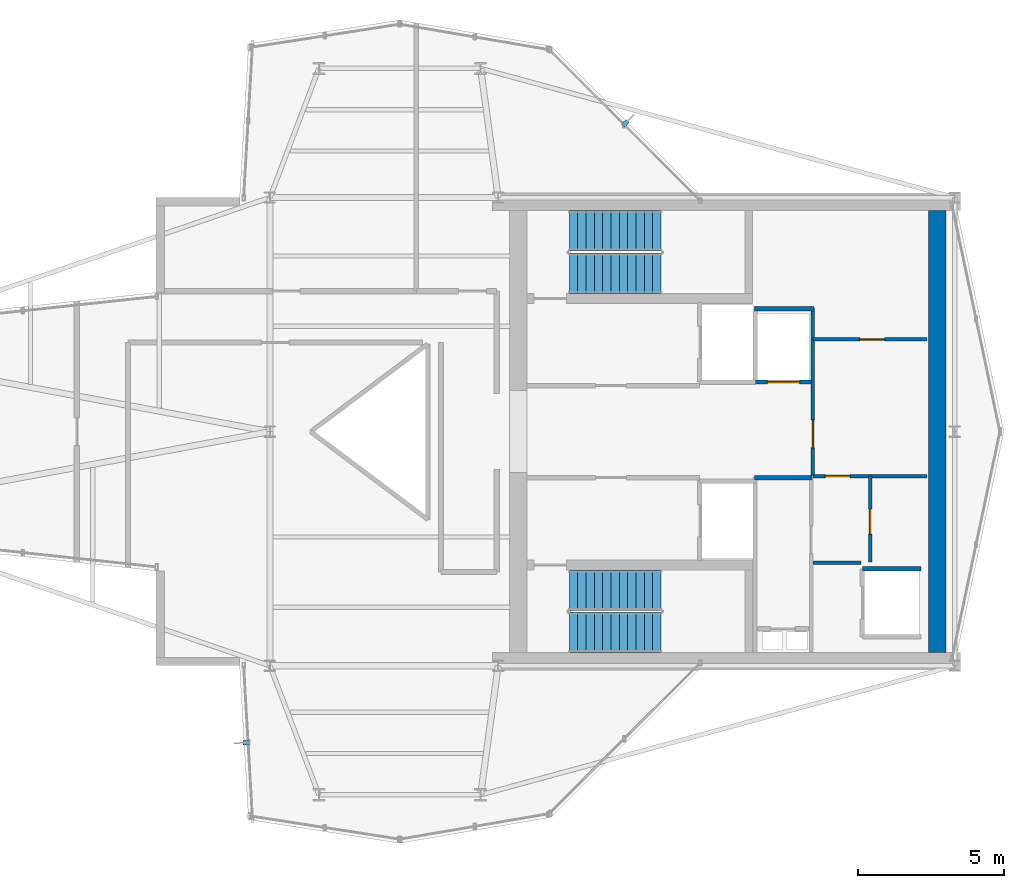
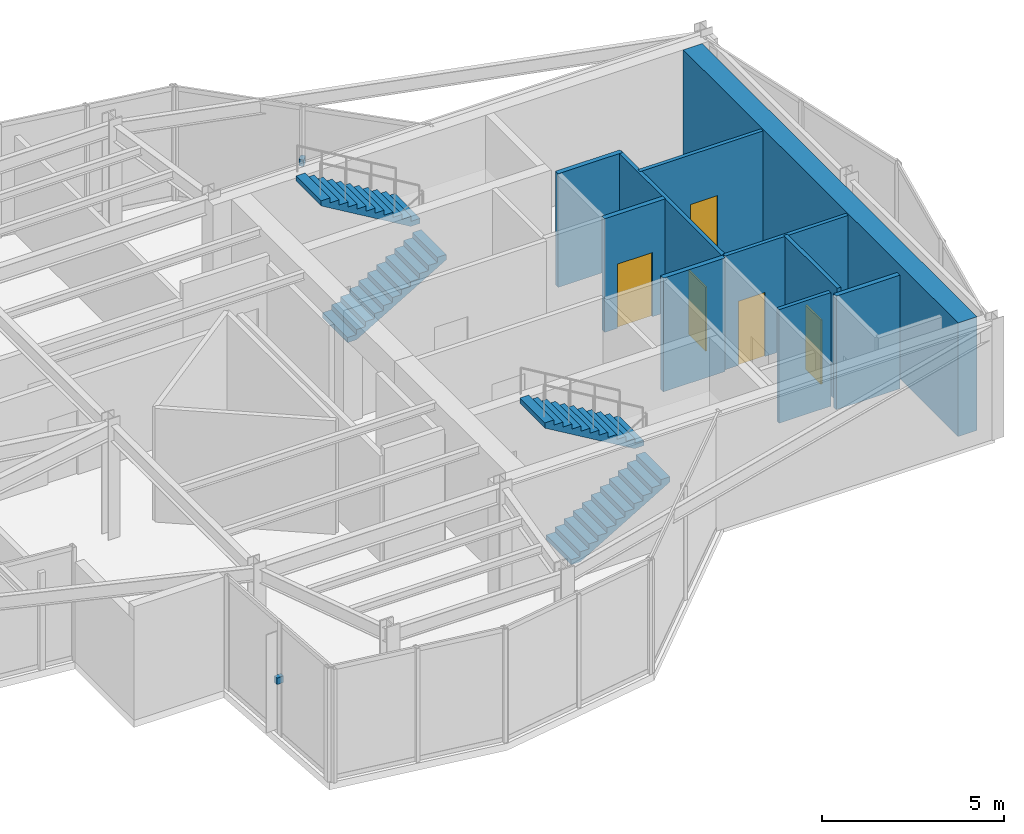
# One storey, part 12 of 13: 10 walls, 5 doors, 4 stair flights, 2 discrete accessories, 5 openings, 2 elements without a shape of their own.
"""IFC4 building model written with IfcOpenShell, lengths in metres."""

from ifc_helpers import new_model, si_unit, direction, frame, frame_2d, origin, origin_2d, place, context, subcontext, project, spatial, polyline, rectangle, outline, extrude, material, layer, layer_set, type_object, element, fill, aggregate, save


model = new_model("IFC4")

# Units and contexts
model_context = context("Model", 3, precision=1e-05, world=origin(), true_north=direction((0.0, 1.0)))
body_context = subcontext(model_context, "Body", "Model", "MODEL_VIEW")
ifc_project = project(units=[si_unit("LENGTHUNIT", "METRE"), si_unit("AREAUNIT", "SQUARE_METRE"), si_unit("VOLUMEUNIT", "CUBIC_METRE"), si_unit("PLANEANGLEUNIT", "RADIAN"), si_unit("MASSUNIT", "GRAM", prefix="KILO")], contexts=[model_context])

# Site, building, storey
site_placement = place(None, origin())
site = spatial("IfcSite", under=ifc_project, at=site_placement, CompositionType="ELEMENT")
building_placement = place(site_placement, origin())
building = spatial("IfcBuilding", under=site, at=building_placement, Name="Veymaron Broadcast Tower", CompositionType="ELEMENT")
storey_placement = place(building_placement, frame((0.0, 0.0, 307.35009765625)))
storey = spatial("IfcBuildingStorey", under=building, at=storey_placement, Name="L72", CompositionType="ELEMENT", Elevation=307.35009765625)

# Wall, opening, door
ifc_material_1 = material(Name="Gypsum fireboard and steel stud framing", Category="steel")
ifc_layer_1 = layer(ifc_material_1, 0.14990234375)
ifc_layer_set_1 = layer_set([ifc_layer_1], Name="Gypsum fireboard and steel stud framing")
wall_type_1 = type_object("IfcWallType", Name="WALL-FIRE-150", PredefinedType="PARTITIONING", material=ifc_layer_set_1)
wall_1_placement = place(storey_placement, frame((47.7900390625, 25.695068359375, 0.0), z_axis=(0.0, 0.0, 1.0), x_axis=(1.0, 0.0, 0.0)))
wall_1 = element("IfcWall", 1, at=wall_1_placement, inside=storey, type_object=wall_type_1, Name="L72 partition IW-L72-SHS-SL-1", PredefinedType="PARTITIONING", context=body_context, shape_type="SweptSolid", body=[
    extrude(rectangle(XDim=1.919921875, YDim=0.14990234375, at=frame_2d((0.9599609375, 0.0))), origin(), (0.0, 0.0, 1.0), 3.809814453125),
])
opening_1_placement = place(wall_1_placement, frame((0.409912109375, 0.0, 0.0)))
opening_1 = element("IfcOpeningElement", 2, at=opening_1_placement, cuts=wall_1, Name="Opening LD", PredefinedType="OPENING", context=body_context, shape_type="SweptSolid", body=[
    extrude(rectangle(XDim=1.10009765625, YDim=2.14990234375, at=frame_2d((0.550048828125, 1.074951171875))), frame((0.0, 0.0849609375, 0.0), z_axis=(0.0, -1.0, 0.0), x_axis=(1.0, 0.0, 0.0)), (0.0, 0.0, 1.0), 0.169921875),
])
ifc_material_2 = material(Name="Brushed stainless steel AISI 304", Category="steel")
door_type_1 = type_object("IfcDoorType", Name="DOOR-LIFT-1100", OperationType="DOUBLE_DOOR_SLIDING", PredefinedType="DOOR", material=ifc_material_2)
door_1_placement = place(opening_1_placement, frame((1.10009765625, 0.0, 0.0), z_axis=(0.0, 0.0, 1.0), x_axis=(-1.0, 0.0, 0.0)))
door_1 = element("IfcDoor", 3, at=door_1_placement, inside=storey, type_object=door_type_1, Name="L72 door LD-L72-SL-1", OperationType="DOUBLE_DOOR_SLIDING", OverallHeight=2.14990234375, OverallWidth=1.10009765625, PredefinedType="DOOR", context=body_context, shape_type="SweptSolid", body=[
    extrude(rectangle(XDim=1.10009765625, YDim=2.14990234375, at=frame_2d((0.550048828125, 1.074951171875))), frame((0.0, 0.02490234375, 0.0), z_axis=(0.0, -1.0, 0.0), x_axis=(1.0, 0.0, 0.0)), (0.0, 0.0, 1.0), 0.050048828125),
])
fill(opening_1, door_1)

# Walls
wall_2_placement = place(storey_placement, frame((51.445068359375, 19.31005859375, 0.0), z_axis=(0.0, 0.0, 1.0), x_axis=(1.0, 0.0, 0.0)))
element("IfcWall", 4, at=wall_2_placement, inside=storey, type_object=wall_type_1, Name="L72 partition IW-L72-SHN-PH1", PredefinedType="PARTITIONING", context=body_context, shape_type="SweptSolid", body=[
    extrude(rectangle(XDim=2.014892578125, YDim=0.14990234375, at=frame_2d((1.00732421875, 0.0))), origin(), (0.0, 0.0, 1.0), 3.809814453125),
])
wall_3_placement = place(storey_placement, frame((47.760009765625, 22.425048828125, 0.0), z_axis=(0.0, 0.0, 1.0), x_axis=(1.0, 0.0, 0.0)))
element("IfcWall", 5, at=wall_3_placement, inside=storey, type_object=wall_type_1, Name="L72 partition IW-L72-SM-N", PredefinedType="PARTITIONING", context=body_context, shape_type="SweptSolid", body=[
    extrude(rectangle(XDim=1.9599609375, YDim=0.14990234375, at=frame_2d((0.97998046875, 0.0))), origin(), (0.0, 0.0, 1.0), 3.809814453125),
])
wall_4_placement = place(storey_placement, frame((47.760009765625, 28.199951171875, 0.0), z_axis=(0.0, 0.0, 1.0), x_axis=(1.0, 0.0, 0.0)))
element("IfcWall", 6, at=wall_4_placement, inside=storey, type_object=wall_type_1, Name="L72 partition IW-L72-F3-SW", PredefinedType="PARTITIONING", context=body_context, shape_type="SweptSolid", body=[
    extrude(rectangle(XDim=2.0400390625, YDim=0.14990234375, at=frame_2d((1.02001953125, 0.0))), origin(), (0.0, 0.0, 1.0), 3.809814453125),
])

# Wall, opening, door
ifc_material_3 = material(Name="Acoustic gypsum board and galvanized stud", Category="gypsum")
ifc_layer_2 = layer(ifc_material_3, 0.1201171875)
ifc_layer_set_2 = layer_set([ifc_layer_2], Name="Acoustic gypsum board and galvanized stud")
wall_type_2 = type_object("IfcWallType", Name="WALL-PART-120", PredefinedType="PARTITIONING", material=ifc_layer_set_2)
wall_5_placement = place(storey_placement, frame((49.760009765625, 22.47998046875, 0.0), z_axis=(0.0, 0.0, 1.0), x_axis=(1.0, 0.0, 0.0)))
wall_5 = element("IfcWall", 7, at=wall_5_placement, inside=storey, type_object=wall_type_2, Name="L72 partition IW-L72-F3S-N", PredefinedType="PARTITIONING", context=body_context, shape_type="SweptSolid", body=[
    extrude(rectangle(XDim=3.89990234375, YDim=0.1201171875, at=frame_2d((1.949951171875, 0.0))), origin(), (0.0, 0.0, 1.0), 3.809814453125),
])
opening_2_placement = place(wall_5_placement, frame((0.419921875, 0.0, 0.0)))
opening_2 = element("IfcOpeningElement", 8, at=opening_2_placement, cuts=wall_5, Name="Opening ID-WC1", PredefinedType="OPENING", context=body_context, shape_type="SweptSolid", body=[
    extrude(rectangle(XDim=0.85009765625, YDim=2.14990234375, at=frame_2d((0.425048828125, 1.074951171875))), frame((0.0, 0.070068359375, 0.0), z_axis=(0.0, -1.0, 0.0), x_axis=(1.0, 0.0, 0.0)), (0.0, 0.0, 1.0), 0.14013671875),
])
ifc_material_4 = material(Name="Moisture-resistant high-pressure laminate timber", Category="wood")
door_type_2 = type_object("IfcDoorType", Name="DOOR-INT-850", OperationType="NOTDEFINED", PredefinedType="DOOR", material=ifc_material_4)
door_2_placement = place(opening_2_placement, frame((0.85009765625, 0.0, 0.0), z_axis=(0.0, 0.0, 1.0), x_axis=(-1.0, 0.0, 0.0)))
door_2 = element("IfcDoor", 9, at=door_2_placement, inside=storey, type_object=door_type_2, Name="L72 door DR-L72-F3S", OperationType="SINGLE_SWING_LEFT", OverallHeight=2.14990234375, OverallWidth=0.85009765625, PredefinedType="DOOR", context=body_context, shape_type="SweptSolid", body=[
    extrude(rectangle(XDim=0.85009765625, YDim=2.14990234375, at=frame_2d((0.425048828125, 1.074951171875))), frame((0.0, 0.02490234375, 0.0), z_axis=(0.0, -1.0, 0.0), x_axis=(1.0, 0.0, 0.0)), (0.0, 0.0, 1.0), 0.050048828125),
])
fill(opening_2, door_2)

wall_6_placement = place(storey_placement, frame((51.7099609375, 19.550048828125, 0.0), z_axis=(0.0, 0.0, 1.0), x_axis=(0.0, 1.0, 0.0)))
wall_6 = element("IfcWall", 10, at=wall_6_placement, inside=storey, type_object=wall_type_2, Name="L72 partition IW-L72-F3S-M", PredefinedType="PARTITIONING", context=body_context, shape_type="SweptSolid", body=[
    extrude(rectangle(XDim=2.929931640625, YDim=0.1201171875, at=frame_2d((1.46484375, 0.0))), origin(), (0.0, 0.0, 1.0), 3.809814453125),
])
opening_3_placement = place(wall_6_placement, frame((0.949951171875, 0.0, 0.0)))
opening_3 = element("IfcOpeningElement", 11, at=opening_3_placement, cuts=wall_6, Name="Opening ID-WC1", PredefinedType="OPENING", context=body_context, shape_type="SweptSolid", body=[
    extrude(rectangle(XDim=0.85009765625, YDim=2.14990234375, at=frame_2d((0.425048828125, 1.074951171875))), frame((0.0, 0.070068359375, 0.0), z_axis=(0.0, -1.0, 0.0), x_axis=(1.0, 0.0, 0.0)), (0.0, 0.0, 1.0), 0.14013671875),
])
door_3_placement = place(opening_3_placement, origin())
door_3 = element("IfcDoor", 12, at=door_3_placement, inside=storey, type_object=door_type_2, Name="L72 door DR-L72-F3SB", OperationType="SINGLE_SWING_RIGHT", OverallHeight=2.14990234375, OverallWidth=0.85009765625, PredefinedType="DOOR", context=body_context, shape_type="SweptSolid", body=[
    extrude(rectangle(XDim=0.85009765625, YDim=2.14990234375, at=frame_2d((0.425048828125, 1.074951171875))), frame((0.0, 0.02490234375, 0.0), z_axis=(0.0, -1.0, 0.0), x_axis=(1.0, 0.0, 0.0)), (0.0, 0.0, 1.0), 0.050048828125),
])
fill(opening_3, door_3)

# Wall
wall_7_placement = place(storey_placement, frame((49.760009765625, 19.52001953125, 0.0), z_axis=(0.0, 0.0, 1.0), x_axis=(1.0, 0.0, 0.0)))
element("IfcWall", 13, at=wall_7_placement, inside=storey, type_object=wall_type_2, Name="L72 partition IW-L72-F3S-S", PredefinedType="PARTITIONING", context=body_context, shape_type="SweptSolid", body=[
    extrude(rectangle(XDim=1.639892578125, YDim=0.1201171875, at=frame_2d((0.81982421875, 0.0))), origin(), (0.0, 0.0, 1.0), 3.809814453125),
])

# Wall, opening, door
wall_8_placement = place(storey_placement, frame((49.760009765625, 22.5, 0.0), z_axis=(0.0, 0.0, 1.0), x_axis=(0.0, 1.0, 0.0)))
wall_8 = element("IfcWall", 14, at=wall_8_placement, inside=storey, type_object=wall_type_2, Name="L72 partition IW-L72-F3-W", PredefinedType="PARTITIONING", context=body_context, shape_type="SweptSolid", body=[
    extrude(rectangle(XDim=5.719970703125, YDim=0.1201171875, at=frame_2d((2.85986328125, 0.0))), origin(), (0.0, 0.0, 1.0), 3.809814453125),
])
opening_4_placement = place(wall_8_placement, frame((0.949951171875, 0.0, 0.0)))
opening_4 = element("IfcOpeningElement", 15, at=opening_4_placement, cuts=wall_8, Name="Opening ID-RM1", PredefinedType="OPENING", context=body_context, shape_type="SweptSolid", body=[
    extrude(rectangle(XDim=0.949951171875, YDim=2.14990234375, at=frame_2d((0.47509765625, 1.074951171875))), frame((0.0, 0.070068359375, 0.0), z_axis=(0.0, -1.0, 0.0), x_axis=(1.0, 0.0, 0.0)), (0.0, 0.0, 1.0), 0.14013671875),
])
ifc_material_5 = material(Name="Acoustic solid-core European oak veneer timber", Category="wood")
door_type_3 = type_object("IfcDoorType", Name="DOOR-INT-950", OperationType="NOTDEFINED", PredefinedType="DOOR", material=ifc_material_5)
door_4_placement = place(opening_4_placement, origin())
door_4 = element("IfcDoor", 16, at=door_4_placement, inside=storey, type_object=door_type_3, Name="L72 door DR-L72-F3A", OperationType="SINGLE_SWING_LEFT", OverallHeight=2.14990234375, OverallWidth=0.949951171875, PredefinedType="DOOR", context=body_context, shape_type="SweptSolid", body=[
    extrude(rectangle(XDim=0.949951171875, YDim=2.14990234375, at=frame_2d((0.47509765625, 1.074951171875))), frame((0.0, 0.02490234375, 0.0), z_axis=(0.0, -1.0, 0.0), x_axis=(1.0, 0.0, 0.0)), (0.0, 0.0, 1.0), 0.050048828125),
])
fill(opening_4, door_4)

wall_9_placement = place(storey_placement, frame((49.760009765625, 27.14990234375, 0.0), z_axis=(0.0, 0.0, 1.0), x_axis=(1.0, 0.0, 0.0)))
wall_9 = element("IfcWall", 17, at=wall_9_placement, inside=storey, type_object=wall_type_2, Name="L72 partition IW-L72-F3-M1", PredefinedType="PARTITIONING", context=body_context, shape_type="SweptSolid", body=[
    extrude(rectangle(XDim=3.89990234375, YDim=0.1201171875, at=frame_2d((1.949951171875, 0.0))), origin(), (0.0, 0.0, 1.0), 3.809814453125),
])
opening_5_placement = place(wall_9_placement, frame((1.60009765625, 0.0, 0.0)))
opening_5 = element("IfcOpeningElement", 18, at=opening_5_placement, cuts=wall_9, Name="Opening ID-WC1", PredefinedType="OPENING", context=body_context, shape_type="SweptSolid", body=[
    extrude(rectangle(XDim=0.85009765625, YDim=2.14990234375, at=frame_2d((0.425048828125, 1.074951171875))), frame((0.0, 0.070068359375, 0.0), z_axis=(0.0, -1.0, 0.0), x_axis=(1.0, 0.0, 0.0)), (0.0, 0.0, 1.0), 0.14013671875),
])
door_5_placement = place(opening_5_placement, origin())
door_5 = element("IfcDoor", 19, at=door_5_placement, inside=storey, type_object=door_type_2, Name="L72 door DR-L72-F3B", OperationType="SINGLE_SWING_LEFT", OverallHeight=2.14990234375, OverallWidth=0.85009765625, PredefinedType="DOOR", context=body_context, shape_type="SweptSolid", body=[
    extrude(rectangle(XDim=0.85009765625, YDim=2.14990234375, at=frame_2d((0.425048828125, 1.074951171875))), frame((0.0, 0.02490234375, 0.0), z_axis=(0.0, -1.0, 0.0), x_axis=(1.0, 0.0, 0.0)), (0.0, 0.0, 1.0), 0.050048828125),
])
fill(opening_5, door_5)

# Wall
ifc_material_6 = material(Name="Concrete C50/60", Category="concrete")
ifc_layer_3 = layer(ifc_material_6, 0.60009765625)
ifc_layer_set_3 = layer_set([ifc_layer_3], Name="Concrete C50/60")
wall_type_3 = type_object("IfcWallType", Name="WALL-SHEAR-600", PredefinedType="SHEAR", material=ifc_layer_set_3)
wall_10_placement = place(storey_placement, frame((54.0, 16.449951171875, 0.0), z_axis=(0.0, 0.0, 1.0), x_axis=(0.0, 1.0, 0.0)))
element("IfcWall", 20, at=wall_10_placement, inside=storey, type_object=wall_type_3, Name="L72 Core Wall east shear", PredefinedType="SHEAR", context=body_context, shape_type="SweptSolid", body=[
    extrude(rectangle(XDim=15.10009765625, YDim=0.60009765625, at=frame_2d((7.550048828125, 0.0))), origin(), (0.0, 0.0, 1.0), 3.809814453125),
])

# Stair, stair flights
stair_type_1 = type_object("IfcStairType", Name="STAIR-CORE-1", PredefinedType="HALF_TURN_STAIR", material=ifc_material_6)
stair_1_placement = place(storey_placement, origin())
stair_1 = element("IfcStair", 21, at=stair_1_placement, inside=storey, type_object=stair_type_1, Name="L72 North protected dog-leg exit stair ST1", PredefinedType="HALF_TURN_STAIR")
ifc_material_7 = material(Name="Precast concrete C50/60", Category="concrete")
stair_flight_type = type_object("IfcStairFlightType", Name="FLT-CORE-RC", PredefinedType="STRAIGHT", material=ifc_material_7)
stair_flight_1_placement = place(storey_placement, frame((41.429931640625, 29.419921875, 0.0), z_axis=(0.0, 0.0, 1.0), x_axis=(1.0, 0.0, 0.0)))
stair_flight_1 = element("IfcStairFlight", 22, at=stair_flight_1_placement, type_object=stair_flight_type, Name="ST1 flight 1", NumberOfRisers=12, NumberOfTreads=11, PredefinedType="STRAIGHT", RiserHeight=0.16875, TreadLength=0.285, context=body_context, shape_type="SweptSolid", body=[
    extrude(outline(polyline([(0.0, 0.0), (0.0, 0.168701171875), (0.284912109375, 0.168701171875), (0.284912109375, 0.33740234375), (0.570068359375, 0.33740234375), (0.570068359375, 0.50634765625), (0.85498046875, 0.50634765625), (0.85498046875, 0.675048828125), (1.139892578125, 0.675048828125), (1.139892578125, 0.84375), (1.425048828125, 0.84375), (1.425048828125, 1.012451171875), (1.7099609375, 1.012451171875), (1.7099609375, 1.18115234375), (1.9951171875, 1.18115234375), (1.9951171875, 1.35009765625), (2.280029296875, 1.35009765625), (2.280029296875, 1.518798828125), (2.56494140625, 1.518798828125), (2.56494140625, 1.6875), (2.85009765625, 1.6875), (2.85009765625, 1.856201171875), (3.135009765625, 1.856201171875), (3.135009765625, 2.02490234375), (3.135009765625, 1.68212890625), (0.294189453125, 0.0), (0.0, 0.0)])), frame((0.0, 0.68994140625, 0.0), z_axis=(0.0, -1.0, 0.0), x_axis=(1.0, 0.0, 0.0)), (0.0, 0.0, 1.0), 1.3798828125),
])
stair_flight_2_placement = place(storey_placement, frame((44.56494140625, 30.860107421875, 2.02490234375), z_axis=(0.0, 0.0, 1.0), x_axis=(-1.0, 0.0, 0.0)))
stair_flight_2 = element("IfcStairFlight", 23, at=stair_flight_2_placement, type_object=stair_flight_type, Name="ST1 flight 2", NumberOfRisers=12, NumberOfTreads=11, PredefinedType="STRAIGHT", RiserHeight=0.16875, TreadLength=0.285, context=body_context, shape_type="SweptSolid", body=[
    extrude(outline(polyline([(0.0, 0.0), (0.0, 0.168701171875), (0.284912109375, 0.168701171875), (0.284912109375, 0.33740234375), (0.570068359375, 0.33740234375), (0.570068359375, 0.50634765625), (0.85498046875, 0.50634765625), (0.85498046875, 0.675048828125), (1.139892578125, 0.675048828125), (1.139892578125, 0.84375), (1.425048828125, 0.84375), (1.425048828125, 1.012451171875), (1.7099609375, 1.012451171875), (1.7099609375, 1.18115234375), (1.9951171875, 1.18115234375), (1.9951171875, 1.35009765625), (2.280029296875, 1.35009765625), (2.280029296875, 1.518798828125), (2.56494140625, 1.518798828125), (2.56494140625, 1.6875), (2.85009765625, 1.6875), (2.85009765625, 1.856201171875), (3.135009765625, 1.856201171875), (3.135009765625, 2.02490234375), (3.135009765625, 1.68212890625), (0.294189453125, 0.0), (0.0, 0.0)])), frame((0.0, 0.68994140625, 0.0), z_axis=(0.0, -1.0, 0.0), x_axis=(1.0, 0.0, 0.0)), (0.0, 0.0, 1.0), 1.3798828125),
])
aggregate(stair_1, [stair_flight_1, stair_flight_2])

stair_type_2 = type_object("IfcStairType", Name="STAIR-CORE-2", PredefinedType="HALF_TURN_STAIR", material=ifc_material_6)
stair_2_placement = place(storey_placement, origin())
stair_2 = element("IfcStair", 24, at=stair_2_placement, inside=storey, type_object=stair_type_2, Name="L72 South protected dog-leg exit stair ST2", PredefinedType="HALF_TURN_STAIR")
stair_flight_3_placement = place(storey_placement, frame((41.429931640625, 17.139892578125, 0.0), z_axis=(0.0, 0.0, 1.0), x_axis=(1.0, 0.0, 0.0)))
stair_flight_3 = element("IfcStairFlight", 25, at=stair_flight_3_placement, type_object=stair_flight_type, Name="ST2 flight 1", NumberOfRisers=12, NumberOfTreads=11, PredefinedType="STRAIGHT", RiserHeight=0.16875, TreadLength=0.285, context=body_context, shape_type="SweptSolid", body=[
    extrude(outline(polyline([(0.0, 0.0), (0.0, 0.168701171875), (0.284912109375, 0.168701171875), (0.284912109375, 0.33740234375), (0.570068359375, 0.33740234375), (0.570068359375, 0.50634765625), (0.85498046875, 0.50634765625), (0.85498046875, 0.675048828125), (1.139892578125, 0.675048828125), (1.139892578125, 0.84375), (1.425048828125, 0.84375), (1.425048828125, 1.012451171875), (1.7099609375, 1.012451171875), (1.7099609375, 1.18115234375), (1.9951171875, 1.18115234375), (1.9951171875, 1.35009765625), (2.280029296875, 1.35009765625), (2.280029296875, 1.518798828125), (2.56494140625, 1.518798828125), (2.56494140625, 1.6875), (2.85009765625, 1.6875), (2.85009765625, 1.856201171875), (3.135009765625, 1.856201171875), (3.135009765625, 2.02490234375), (3.135009765625, 1.68212890625), (0.294189453125, 0.0), (0.0, 0.0)])), frame((0.0, 0.68994140625, 0.0), z_axis=(0.0, -1.0, 0.0), x_axis=(1.0, 0.0, 0.0)), (0.0, 0.0, 1.0), 1.3798828125),
])
stair_flight_4_placement = place(storey_placement, frame((44.56494140625, 18.580078125, 2.02490234375), z_axis=(0.0, 0.0, 1.0), x_axis=(-1.0, 0.0, 0.0)))
stair_flight_4 = element("IfcStairFlight", 26, at=stair_flight_4_placement, type_object=stair_flight_type, Name="ST2 flight 2", NumberOfRisers=12, NumberOfTreads=11, PredefinedType="STRAIGHT", RiserHeight=0.16875, TreadLength=0.285, context=body_context, shape_type="SweptSolid", body=[
    extrude(outline(polyline([(0.0, 0.0), (0.0, 0.168701171875), (0.284912109375, 0.168701171875), (0.284912109375, 0.33740234375), (0.570068359375, 0.33740234375), (0.570068359375, 0.50634765625), (0.85498046875, 0.50634765625), (0.85498046875, 0.675048828125), (1.139892578125, 0.675048828125), (1.139892578125, 0.84375), (1.425048828125, 0.84375), (1.425048828125, 1.012451171875), (1.7099609375, 1.012451171875), (1.7099609375, 1.18115234375), (1.9951171875, 1.18115234375), (1.9951171875, 1.35009765625), (2.280029296875, 1.35009765625), (2.280029296875, 1.518798828125), (2.56494140625, 1.518798828125), (2.56494140625, 1.6875), (2.85009765625, 1.6875), (2.85009765625, 1.856201171875), (3.135009765625, 1.856201171875), (3.135009765625, 2.02490234375), (3.135009765625, 1.68212890625), (0.294189453125, 0.0), (0.0, 0.0)])), frame((0.0, 0.68994140625, 0.0), z_axis=(0.0, -1.0, 0.0), x_axis=(1.0, 0.0, 0.0)), (0.0, 0.0, 1.0), 1.3798828125),
])
aggregate(stair_2, [stair_flight_3, stair_flight_4])

# Discrete accessories
ifc_material_8 = material(Name="Austenitic stainless steel AISI 316L", Category="steel")
ifc_layer_4 = layer(ifc_material_8, 0.1201171875)
ifc_layer_set_4 = layer_set([ifc_layer_4], Name="Austenitic stainless steel AISI 316L")
discrete_accessory_type = type_object("IfcDiscreteAccessoryType", Name="ACC-BRKT-SS1", PredefinedType="BRACKET", material=ifc_layer_set_4)
for number, where, z_axis, x_axis, name in (
    (27, (43.34814453125, 34.535888671875, 1.794921875), (0.0, 0.0, 1.0), (0.706810526965, 0.707402911339, 0.0), "CW-L72-E5-1 fin bracket 1"),
    (28, (30.39208984375, 13.3720703125, 1.794921875), (0.0, 0.0, 1.0), (-0.998332762161, -0.057720845415, 0.0), "CW-L72-E17-1 fin bracket 1"),
):
    element("IfcDiscreteAccessory", number, at=place(storey_placement, frame(where, z_axis=z_axis, x_axis=x_axis)), inside=storey, type_object=discrete_accessory_type, Name=name, PredefinedType="BRACKET", context=body_context, shape_type="SweptSolid", body=[
        extrude(rectangle(XDim=0.219970703125, YDim=0.139892578125, at=origin_2d()), origin(), (0.0, 0.0, 1.0), 0.219970703125),
    ])

save(model, "model.ifc")
